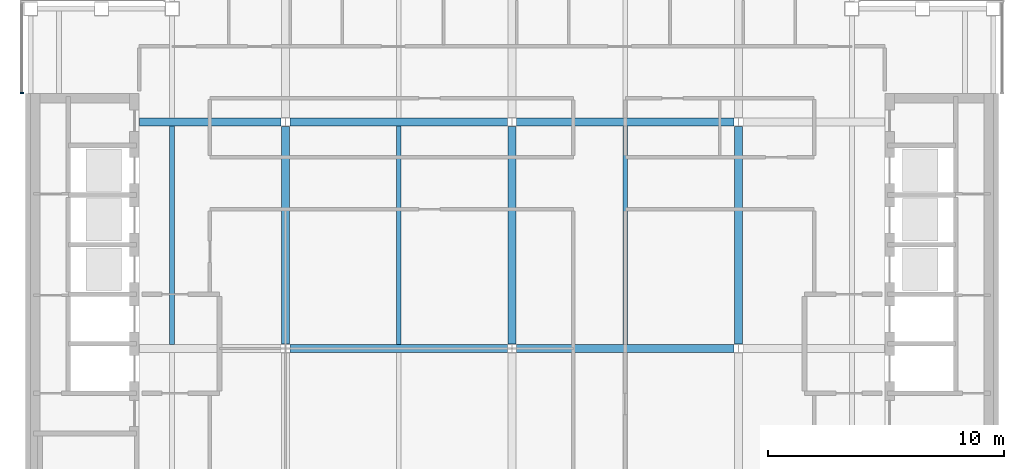
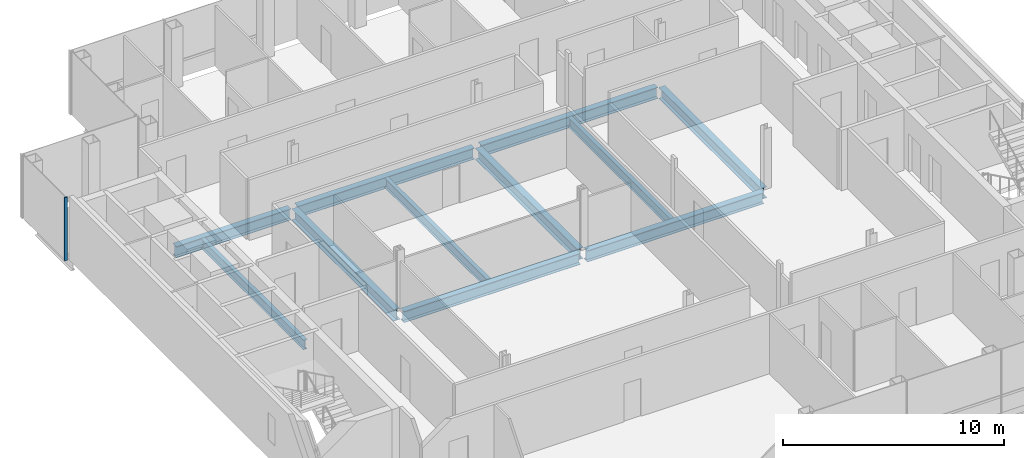
# One storey, part 5 of 15: 11 beams, 1 member, 1 element without a shape of its own.
"""IFC4 building model written with IfcOpenShell, lengths in metres."""

from ifc_helpers import new_model, si_unit, direction, frame, origin, origin_2d, place, context, subcontext, project, spatial, rectangle, i_section, extrude, material, material_profile, profile_set, type_object, element, aggregate, save


model = new_model("IFC4")

# Units and contexts
model_context = context("Model", 3, precision=1e-05, world=origin(), true_north=direction((0.0, 1.0)))
body_context = subcontext(model_context, "Body", "Model", "MODEL_VIEW")
ifc_project = project(units=[si_unit("LENGTHUNIT", "METRE"), si_unit("AREAUNIT", "SQUARE_METRE"), si_unit("VOLUMEUNIT", "CUBIC_METRE"), si_unit("PLANEANGLEUNIT", "RADIAN"), si_unit("MASSUNIT", "GRAM", prefix="KILO")], contexts=[model_context])

# Site, building, storey
site_placement = place(None, origin())
site = spatial("IfcSite", under=ifc_project, at=site_placement, CompositionType="ELEMENT")
building_placement = place(site_placement, origin())
building = spatial("IfcBuilding", under=site, at=building_placement, Name="Cobrizo Arcos Hotel Tower", CompositionType="ELEMENT")
storey_placement = place(building_placement, frame((0.0, 0.0, 251.5)))
storey = spatial("IfcBuildingStorey", under=building, at=storey_placement, Name="L66", CompositionType="ELEMENT", Elevation=251.5)

# Curtain wall, member
ifc_material_1 = material(Name="Aluminium 6063-T6 anodised bronze", Category="aluminium")
curtain_wall_type = type_object("IfcCurtainWallType", Name="CW-A guest facade", PredefinedType="NOTDEFINED", material=ifc_material_1)
curtain_wall_placement = place(storey_placement, origin())
curtain_wall = element("IfcCurtainWall", 1, at=curtain_wall_placement, inside=storey, type_object=curtain_wall_type, Name="CW-A L66 W face", PredefinedType="NOTDEFINED")
ifc_material_profile_1 = material_profile(ifc_material_1, rectangle(XDim=0.14990234375, YDim=0.06005859375, at=origin_2d()), Name="CW-A mullion 150x60")
ifc_profile_set_1 = profile_set([ifc_material_profile_1], Name="Aluminium 6063-T6 anodised bronze")
member_type = type_object("IfcMemberType", Name="CW-A mullion 150x60", PredefinedType="MULLION", material=ifc_profile_set_1)
member_placement = place(storey_placement, frame((-20.77490234375, 10.830078125, 0.0), z_axis=(0.0, 0.0, 1.0), x_axis=(-1.0, 0.0, 0.0)))
member = element("IfcMember", 2, at=member_placement, type_object=member_type, Name="CW-A mullion 2", PredefinedType="MULLION", context=body_context, shape_type="SweptSolid", body=[
    extrude(rectangle(XDim=0.14990234375, YDim=0.06005859375, at=origin_2d()), origin(), (0.0, 0.0, 1.0), 3.5),
])
aggregate(curtain_wall, [member])

# Beams
ifc_material_2 = material(Name="Steel ASTM A992 Grade 50", Category="steel")
ifc_material_profile_2 = material_profile(ifc_material_2, i_section(OverallWidth=0.209228515625, OverallDepth=0.533447265625, WebThickness=0.01025390625, FlangeThickness=0.015625, at=origin_2d()), Name="W21X62")
ifc_profile_set_2 = profile_set([ifc_material_profile_2], Name="Steel ASTM A992 Grade 50")
beam_type_1 = type_object("IfcBeamType", Name="W21X62 joist", PredefinedType="JOIST", material=ifc_profile_set_2)
for number, where, z_axis, x_axis, name in (
    (3, (-14.39990234375, 0.163818359375, -0.416748046875), (0.0, 1.0, 0.0), (-1.0, 0.0, 0.0), "Floor joist J1, L66, no. 005"),
    (4, (-4.800048828125, 0.163818359375, -0.416748046875), (0.0, 1.0, 0.0), (-1.0, 0.0, 0.0), "Floor joist J1, L66, no. 009"),
    (5, (4.800048828125, 0.163818359375, -0.416748046875), (0.0, 1.0, 0.0), (-1.0, 0.0, 0.0), "Floor joist J1, L66, no. 013"),
):
    element("IfcBeam", number, at=place(storey_placement, frame(where, z_axis=z_axis, x_axis=x_axis)), inside=storey, type_object=beam_type_1, Name=name, PredefinedType="JOIST", context=body_context, shape_type="SweptSolid", body=[
        extrude(i_section(OverallWidth=0.209228515625, OverallDepth=0.533447265625, WebThickness=0.01025390625, FlangeThickness=0.015625, at=origin_2d()), origin(), (0.0, 0.0, 1.0), 9.272216796875),
    ])
ifc_material_profile_3 = material_profile(ifc_material_2, i_section(OverallWidth=0.32763671875, OverallDepth=0.622314453125, WebThickness=0.015380859375, FlangeThickness=0.0244140625, at=origin_2d()), Name="W24X131")
ifc_profile_set_3 = profile_set([ifc_material_profile_3], Name="Steel ASTM A992 Grade 50")
beam_type_2 = type_object("IfcBeamType", Name="W24X131 girder", PredefinedType="BEAM", material=ifc_profile_set_3)
for number, where, z_axis, x_axis, name in (
    (6, (-9.415771484375, 0.0, -0.461181640625), (1.0, 0.0, 0.0), (0.0, 1.0, 0.0), "Floor girder G1, L66, no. 006"),
    (7, (0.18408203125, 0.0, -0.461181640625), (1.0, 0.0, 0.0), (0.0, 1.0, 0.0), "Floor girder G1, L66, no. 007"),
):
    element("IfcBeam", number, at=place(storey_placement, frame(where, z_axis=z_axis, x_axis=x_axis)), inside=storey, type_object=beam_type_2, Name=name, PredefinedType="BEAM", context=body_context, shape_type="SweptSolid", body=[
        extrude(i_section(OverallWidth=0.32763671875, OverallDepth=0.622314453125, WebThickness=0.015380859375, FlangeThickness=0.0244140625, at=origin_2d()), origin(), (0.0, 0.0, 1.0), 9.231689453125),
    ])
beam_placement = place(storey_placement, frame((-15.7900390625, 9.60009765625, -0.461181640625), z_axis=(1.0, 0.0, 0.0), x_axis=(0.0, 1.0, 0.0)))
element("IfcBeam", 8, at=beam_placement, inside=storey, type_object=beam_type_2, Name="Floor girder G1, L66, no. 009", PredefinedType="BEAM", context=body_context, shape_type="SweptSolid", body=[
    extrude(i_section(OverallWidth=0.32763671875, OverallDepth=0.622314453125, WebThickness=0.015380859375, FlangeThickness=0.0244140625, at=origin_2d()), origin(), (0.0, 0.0, 1.0), 6.005859375),
])
for number, where, z_axis, x_axis, name in (
    (9, (-9.415771484375, 9.60009765625, -0.461181640625), (1.0, 0.0, 0.0), (0.0, 1.0, 0.0), "Floor girder G1, L66, no. 010"),
    (10, (0.18408203125, 9.60009765625, -0.461181640625), (1.0, 0.0, 0.0), (0.0, 1.0, 0.0), "Floor girder G1, L66, no. 011"),
    (11, (-9.60009765625, 0.18408203125, -0.461181640625), (0.0, 1.0, 0.0), (-1.0, 0.0, 0.0), "Floor girder G1, L66, no. 015"),
    (12, (0.0, 0.18408203125, -0.461181640625), (0.0, 1.0, 0.0), (-1.0, 0.0, 0.0), "Floor girder G1, L66, no. 019"),
    (13, (9.60009765625, 0.18408203125, -0.461181640625), (0.0, 1.0, 0.0), (-1.0, 0.0, 0.0), "Floor girder G1, L66, no. 023"),
):
    element("IfcBeam", number, at=place(storey_placement, frame(where, z_axis=z_axis, x_axis=x_axis)), inside=storey, type_object=beam_type_2, Name=name, PredefinedType="BEAM", context=body_context, shape_type="SweptSolid", body=[
        extrude(i_section(OverallWidth=0.32763671875, OverallDepth=0.622314453125, WebThickness=0.015380859375, FlangeThickness=0.0244140625, at=origin_2d()), origin(), (0.0, 0.0, 1.0), 9.231689453125),
    ])

save(model, "model.ifc")
